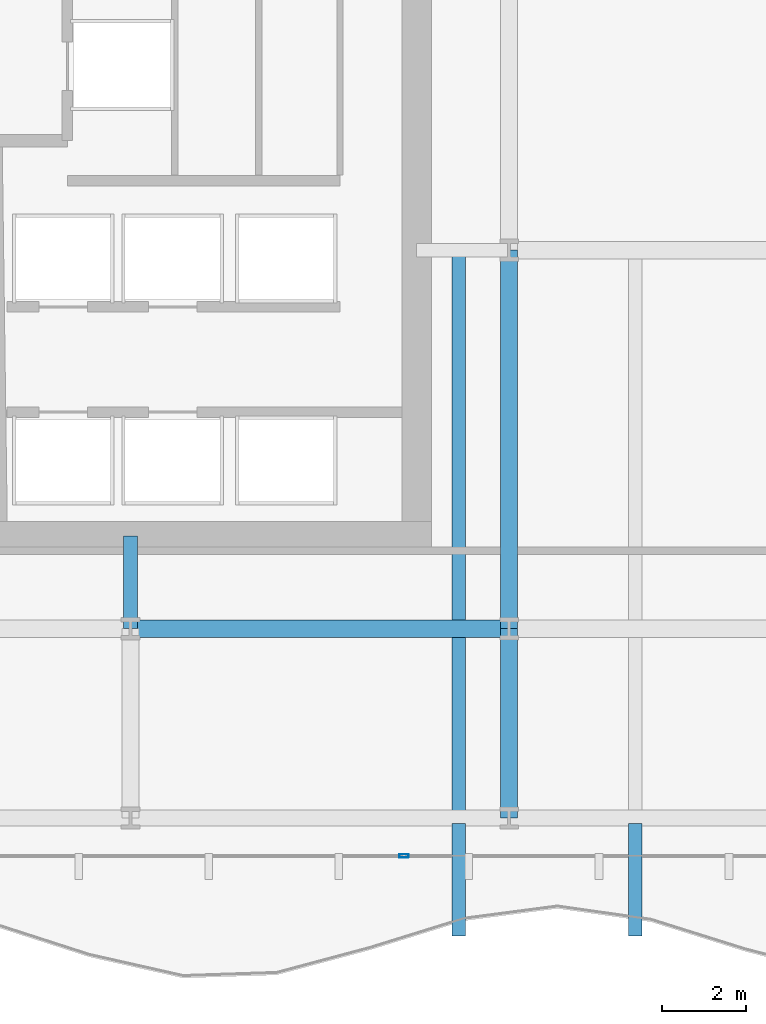
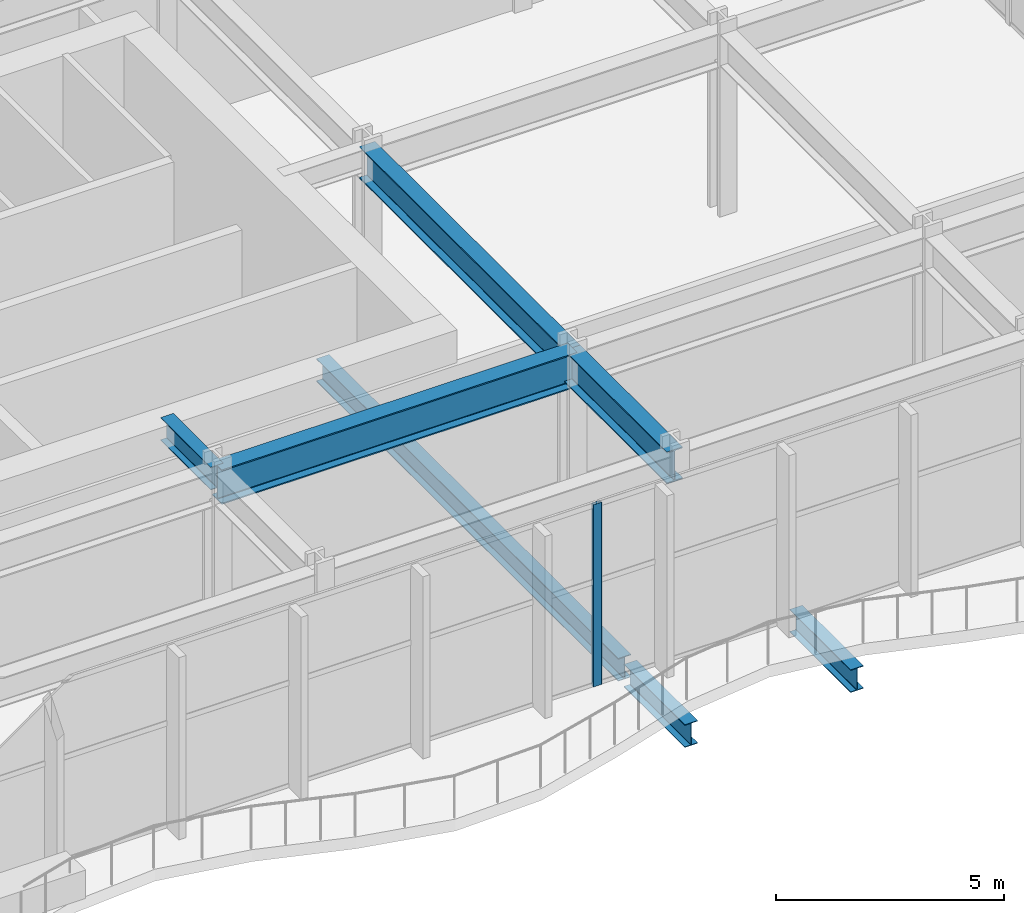
# One storey, part 7 of 31: 7 beams, 1 member, 1 element without a shape of its own.
"""IFC4 building model written with IfcOpenShell, lengths in metres."""

from ifc_helpers import new_model, si_unit, direction, frame, origin, origin_2d, place, context, subcontext, project, spatial, hollow_rectangle, i_section, extrude, material, layer, layer_set, material_profile, profile_set, type_object, element, aggregate, save


model = new_model("IFC4")

# Units and contexts
model_context = context("Model", 3, precision=1e-05, world=origin(), true_north=direction((0.0, 1.0)))
body_context = subcontext(model_context, "Body", "Model", "MODEL_VIEW")
ifc_project = project(units=[si_unit("LENGTHUNIT", "METRE"), si_unit("AREAUNIT", "SQUARE_METRE"), si_unit("VOLUMEUNIT", "CUBIC_METRE"), si_unit("PLANEANGLEUNIT", "RADIAN"), si_unit("MASSUNIT", "GRAM", prefix="KILO")], contexts=[model_context])

# Site, building, storey
site_placement = place(None, origin())
site = spatial("IfcSite", under=ifc_project, at=site_placement, CompositionType="ELEMENT")
building_placement = place(site_placement, origin())
building = spatial("IfcBuilding", under=site, at=building_placement, Name="Solvaryn Broadcast Tower", CompositionType="ELEMENT")
storey_placement = place(building_placement, frame((0.0, 0.0, 11.0)))
storey = spatial("IfcBuildingStorey", under=building, at=storey_placement, Name="L02", CompositionType="ELEMENT", Elevation=11.0)

# Beams
ifc_material_1 = material(Name="Steel ASTM A992 Grade 50", Category="steel")
ifc_material_profile_1 = material_profile(ifc_material_1, i_section(OverallWidth=0.323974609375, OverallDepth=0.611083984375, WebThickness=0.0126953125, FlangeThickness=0.01904296875, FilletRadius=0.014892578125, at=origin_2d()))
ifc_profile_set_1 = profile_set([ifc_material_profile_1], Name="Steel ASTM A992 Grade 50")
beam_type_1 = type_object("IfcBeamType", Name="BM-B1-W24X104", PredefinedType="BEAM", material=ifc_profile_set_1)
beam_1_placement = place(storey_placement, frame((43.800048828125, 17.875, -0.62548828125), z_axis=(0.0, -1.0, 0.0), x_axis=(1.0, 0.0, 0.0)))
element("IfcBeam", 1, at=beam_1_placement, inside=storey, type_object=beam_type_1, Name="L02 Terrace Back-Span Beam X43.8", PredefinedType="BEAM", context=body_context, shape_type="SweptSolid", body=[
    extrude(i_section(OverallWidth=0.323974609375, OverallDepth=0.611083984375, WebThickness=0.0126953125, FlangeThickness=0.01904296875, FilletRadius=0.014892578125, at=origin_2d()), origin(), (0.0, 0.0, 1.0), 13.25),
])
beam_2_placement = place(storey_placement, frame((36.0, 9.0, 4.574462890625), z_axis=(0.0, 1.0, 0.0), x_axis=(-1.0, 0.0, 0.0)))
element("IfcBeam", 2, at=beam_2_placement, inside=storey, type_object=beam_type_1, Name="L02 Core Tie Beam CTE1", PredefinedType="BEAM", context=body_context, shape_type="SweptSolid", body=[
    extrude(i_section(OverallWidth=0.323974609375, OverallDepth=0.611083984375, WebThickness=0.0126953125, FlangeThickness=0.01904296875, FilletRadius=0.014892578125, at=origin_2d()), origin(), (0.0, 0.0, 1.0), 2.199951171875),
])
ifc_material_2 = material(Name="Steel ASTM A992 Grade 50", Category="steel")
ifc_material_profile_2 = material_profile(ifc_material_2, i_section(OverallWidth=0.323974609375, OverallDepth=0.611083984375, WebThickness=0.0126953125, FlangeThickness=0.01904296875, FilletRadius=0.014892578125, at=origin_2d()))
ifc_profile_set_2 = profile_set([ifc_material_profile_2], Name="Steel ASTM A992 Grade 50")
beam_type_2 = type_object("IfcBeamType", Name="BM-CANT-TER", PredefinedType="BEAM", material=ifc_profile_set_2)
for number, where, z_axis, x_axis, name in (
    (3, (43.800048828125, 4.375, -0.62548828125), (0.0, -1.0, 0.0), (1.0, 0.0, 0.0), "L02 Terrace Cantilever Beam X43.8"),
    (4, (48.0, 4.375, -0.62548828125), (0.0, -1.0, 0.0), (1.0, 0.0, 0.0), "L02 Terrace Cantilever Beam X48.0"),
):
    element("IfcBeam", number, at=place(storey_placement, frame(where, z_axis=z_axis, x_axis=x_axis)), inside=storey, type_object=beam_type_2, Name=name, PredefinedType="BEAM", context=body_context, shape_type="SweptSolid", body=[
        extrude(i_section(OverallWidth=0.323974609375, OverallDepth=0.611083984375, WebThickness=0.0126953125, FlangeThickness=0.01904296875, FilletRadius=0.014892578125, at=origin_2d()), origin(), (0.0, 0.0, 1.0), 2.675048828125),
    ])
ifc_material_3 = material(Name="Steel ASTM A992 Grade 50", Category="steel")
ifc_material_profile_3 = material_profile(ifc_material_3, i_section(OverallWidth=0.41796875, OverallDepth=0.927001953125, WebThickness=0.019287109375, FlangeThickness=0.031982421875, FilletRadius=0.02392578125, at=origin_2d()))
ifc_profile_set_3 = profile_set([ifc_material_profile_3], Name="Steel ASTM A992 Grade 50")
beam_type_3 = type_object("IfcBeamType", Name="BM-G2-W36X231", PredefinedType="BEAM", material=ifc_profile_set_3)
beam_3_placement = place(storey_placement, frame((36.0, 9.0, 4.41650390625), z_axis=(1.0, 0.0, 0.0), x_axis=(0.0, 1.0, 0.0)))
element("IfcBeam", 5, at=beam_3_placement, inside=storey, type_object=beam_type_3, Name="L02 Primary Beam X (36-45 @ Y=9)", PredefinedType="BEAM", context=body_context, shape_type="SweptSolid", body=[
    extrude(i_section(OverallWidth=0.41796875, OverallDepth=0.927001953125, WebThickness=0.019287109375, FlangeThickness=0.031982421875, FilletRadius=0.02392578125, at=origin_2d()), origin(), (0.0, 0.0, 1.0), 9.0),
])
ifc_material_4 = material(Name="Steel ASTM A992 Grade 50", Category="steel")
ifc_material_profile_4 = material_profile(ifc_material_4, i_section(OverallWidth=0.39990234375, OverallDepth=0.85498046875, WebThickness=0.018310546875, FlangeThickness=0.029296875, FilletRadius=0.02001953125, at=origin_2d()))
ifc_profile_set_4 = profile_set([ifc_material_profile_4], Name="Steel ASTM A992 Grade 50")
beam_type_4 = type_object("IfcBeamType", Name="BM-G3-W33X201", PredefinedType="BEAM", material=ifc_profile_set_4)
beam_4_placement = place(storey_placement, frame((45.0, 4.5, 4.452392578125), z_axis=(0.0, 1.0, 0.0), x_axis=(-1.0, 0.0, 0.0)))
element("IfcBeam", 6, at=beam_4_placement, inside=storey, type_object=beam_type_4, Name="L02 Primary Beam Y (4-9 @ X=45)", PredefinedType="BEAM", context=body_context, shape_type="SweptSolid", body=[
    extrude(i_section(OverallWidth=0.39990234375, OverallDepth=0.85498046875, WebThickness=0.018310546875, FlangeThickness=0.029296875, FilletRadius=0.02001953125, at=origin_2d()), origin(), (0.0, 0.0, 1.0), 4.5),
])
beam_5_placement = place(storey_placement, frame((45.0, 9.0, 4.452392578125), z_axis=(0.0, 1.0, 0.0), x_axis=(-1.0, 0.0, 0.0)))
element("IfcBeam", 7, at=beam_5_placement, inside=storey, type_object=beam_type_4, Name="L02 Primary Beam Y (9-18 @ X=45)", PredefinedType="BEAM", context=body_context, shape_type="SweptSolid", body=[
    extrude(i_section(OverallWidth=0.39990234375, OverallDepth=0.85498046875, WebThickness=0.018310546875, FlangeThickness=0.029296875, FilletRadius=0.02001953125, at=origin_2d()), origin(), (0.0, 0.0, 1.0), 9.0),
])

# Curtain wall, member
ifc_material_5 = material(Name="Aluminium and Terracotta Unitised Curtain Wall", Category="masonry")
ifc_layer = layer(ifc_material_5, 0.219970703125)
ifc_layer_set = layer_set([ifc_layer], Name="CW-SYS1-PODIUM")
curtain_wall_type = type_object("IfcCurtainWallType", Name="CW-SYS1-PODIUM", PredefinedType="NOTDEFINED", material=ifc_layer_set)
curtain_wall_placement = place(storey_placement, origin())
curtain_wall = element("IfcCurtainWall", 8, at=curtain_wall_placement, inside=storey, type_object=curtain_wall_type, Name="L02 Podium Curtain Wall S1", PredefinedType="NOTDEFINED")
ifc_material_6 = material(Name="Anodised Aluminium 6063-T6", Category="aluminium")
ifc_material_profile_5 = material_profile(ifc_material_6, hollow_rectangle(XDim=0.0849609375, YDim=0.219970703125, WallThickness=0.0048828125, InnerFilletRadius=0.0048828125, OuterFilletRadius=0.010009765625, at=origin_2d()))
ifc_profile_set_5 = profile_set([ifc_material_profile_5], Name="Anodised Aluminium 6063-T6")
member_type = type_object("IfcMemberType", Name="CW-MUL-220", PredefinedType="MULLION", material=ifc_profile_set_5)
member_placement = place(storey_placement, frame((42.5, 3.60009765625, 0.0), z_axis=(0.0, 0.0, 1.0), x_axis=(0.0, -1.0, 0.0)))
member = element("IfcMember", 9, at=member_placement, type_object=member_type, Name="CWS1 mullion 2", PredefinedType="MULLION", context=body_context, shape_type="SweptSolid", body=[
    extrude(hollow_rectangle(XDim=0.0849609375, YDim=0.219970703125, WallThickness=0.0048828125, InnerFilletRadius=0.0048828125, OuterFilletRadius=0.010009765625, at=origin_2d()), origin(), (0.0, 0.0, 1.0), 4.8798828125),
])
aggregate(curtain_wall, [member])

save(model, "model.ifc")
